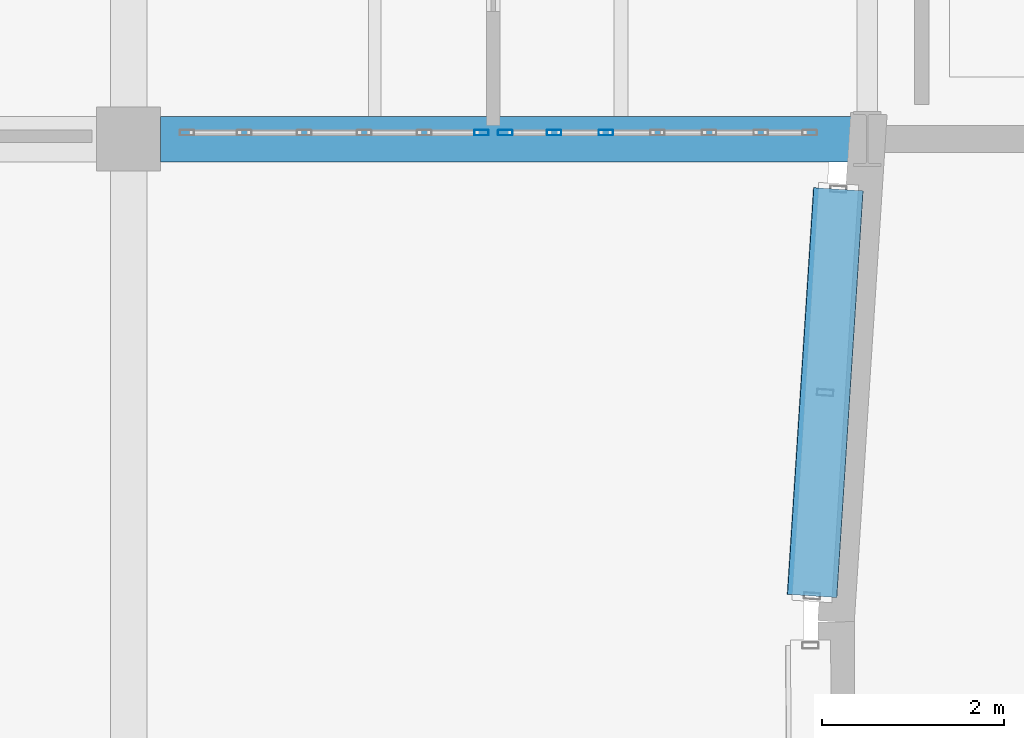
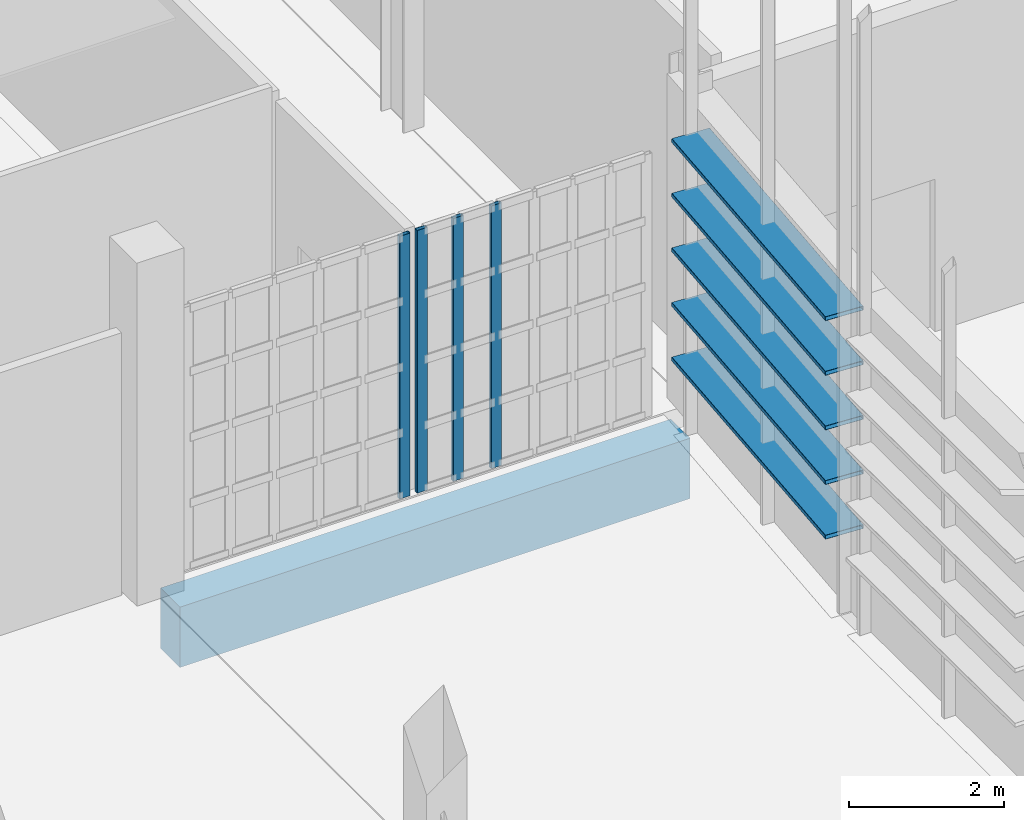
# One storey, part 97 of 372: 9 members, 1 beam, 2 elements without a shape of their own.
"""IFC4 building model written with IfcOpenShell, lengths in metres."""

from ifc_helpers import new_model, si_unit, direction, frame, origin, origin_2d, place, context, subcontext, project, spatial, rectangle, hollow_rectangle, extrude, material, material_profile, profile_set, type_object, element, aggregate, save


model = new_model("IFC4")

# Units and contexts
model_context = context("Model", 3, precision=1e-05, world=origin(), true_north=direction((0.0, 1.0)))
body_context = subcontext(model_context, "Body", "Model", "MODEL_VIEW")
ifc_project = project(units=[si_unit("LENGTHUNIT", "METRE"), si_unit("AREAUNIT", "SQUARE_METRE"), si_unit("VOLUMEUNIT", "CUBIC_METRE"), si_unit("PLANEANGLEUNIT", "RADIAN"), si_unit("MASSUNIT", "GRAM", prefix="KILO")], contexts=[model_context])

# Site, building, storey
site_placement = place(None, origin())
site = spatial("IfcSite", under=ifc_project, at=site_placement, CompositionType="ELEMENT")
building_placement = place(site_placement, origin())
building = spatial("IfcBuilding", under=site, at=building_placement, Name="Kaelora Sail Theatre", CompositionType="ELEMENT")
storey_placement = place(building_placement, origin())
storey = spatial("IfcBuildingStorey", under=building, at=storey_placement, Name="L00", CompositionType="ELEMENT", Elevation=0.0)

# Members
ifc_material_1 = material(Name="Anodised aluminium 6063-T6", Category="aluminium")
ifc_material_profile_1 = material_profile(ifc_material_1, hollow_rectangle(XDim=0.550048828125, YDim=0.06494140625, WallThickness=0.00390625, InnerFilletRadius=0.00390625, OuterFilletRadius=0.008056640625, at=origin_2d()), Name="LOUVRE 550x65x4")
ifc_profile_set_1 = profile_set([ifc_material_profile_1], Name="Anodised aluminium 6063-T6")
member_type_1 = type_object("IfcMemberType", Name="ARC-MEM-LVR-300", PredefinedType="USERDEFINED", material=ifc_profile_set_1)
for number, where, z_axis, x_axis, name in (
    (1, (25.195556640625, 56.0087890625, 1.25), (0.064492796424, 0.997918172602, 0.0), (-0.997918172602, 0.064492796424, 0.0), "Main Theatre Sail Drum horizontal solar louvre C22-01"),
    (2, (25.195556640625, 56.0087890625, 2.110107421875), (0.064492796424, 0.997918172602, 0.0), (-0.997918172602, 0.064492796424, 0.0), "Main Theatre Sail Drum horizontal solar louvre C22-02"),
    (3, (25.195556640625, 56.0087890625, 2.969970703125), (0.064492796424, 0.997918172602, 0.0), (-0.997918172602, 0.064492796424, 0.0), "Main Theatre Sail Drum horizontal solar louvre C22-03"),
    (4, (25.195556640625, 56.0087890625, 3.830078125), (0.064492796424, 0.997918172602, 0.0), (-0.997918172602, 0.064492796424, 0.0), "Main Theatre Sail Drum horizontal solar louvre C22-04"),
    (5, (25.195556640625, 56.0087890625, 4.68994140625), (0.064492796424, 0.997918172602, 0.0), (-0.997918172602, 0.064492796424, 0.0), "Main Theatre Sail Drum horizontal solar louvre C22-05"),
):
    element("IfcMember", number, at=place(storey_placement, frame(where, z_axis=z_axis, x_axis=x_axis)), inside=storey, type_object=member_type_1, Name=name, ObjectType="LOUVRE", PredefinedType="USERDEFINED", context=body_context, shape_type="SweptSolid", body=[
        extrude(hollow_rectangle(XDim=0.550048828125, YDim=0.06494140625, WallThickness=0.00390625, InnerFilletRadius=0.00390625, OuterFilletRadius=0.008056640625, at=origin_2d()), origin(), (0.0, 0.0, 1.0), 4.470703125),
    ])

# Curtain wall, member
ifc_material_2 = material(Name="Anodised aluminium and solar-control low-E IGU", Category="aluminium")
curtain_wall_type = type_object("IfcCurtainWallType", Name="ARC-CW-CW-FOY1", PredefinedType="NOTDEFINED", material=ifc_material_2)
curtain_wall_1_placement = place(storey_placement, origin())
curtain_wall_1 = element("IfcCurtainWall", 6, at=curtain_wall_1_placement, inside=storey, type_object=curtain_wall_type, Name="Glazed Foyer/Conservatory Curtain Wall FW1-S-L00-01", PredefinedType="NOTDEFINED")
ifc_material_3 = material(Name="Anodised aluminium 6063-T6", Category="aluminium")
ifc_material_profile_2 = material_profile(ifc_material_3, hollow_rectangle(XDim=0.06005859375, YDim=0.159912109375, WallThickness=0.00390625, InnerFilletRadius=0.00390625, OuterFilletRadius=0.008056640625, at=origin_2d()), Name="ALU-MULL 60x160x4")
ifc_profile_set_2 = profile_set([ifc_material_profile_2], Name="Anodised aluminium 6063-T6")
member_type_2 = type_object("IfcMemberType", Name="ARC-MEM-ML-160", PredefinedType="MULLION", material=ifc_profile_set_2)
member_1_placement = place(storey_placement, frame((21.570068359375, 61.090087890625, 0.0), z_axis=(0.0, 0.0, 1.0), x_axis=(0.0, 1.0, 0.0)))
member_1 = element("IfcMember", 7, at=member_1_placement, type_object=member_type_2, Name="CW-FOY1 mullion 6", PredefinedType="MULLION", context=body_context, shape_type="SweptSolid", body=[
    extrude(hollow_rectangle(XDim=0.06005859375, YDim=0.159912109375, WallThickness=0.00390625, InnerFilletRadius=0.00390625, OuterFilletRadius=0.008056640625, at=origin_2d()), origin(), (0.0, 0.0, 1.0), 4.136962890625),
])
aggregate(curtain_wall_1, [member_1])

# Curtain wall, members
curtain_wall_2_placement = place(storey_placement, origin())
curtain_wall_2 = element("IfcCurtainWall", 8, at=curtain_wall_2_placement, inside=storey, type_object=curtain_wall_type, Name="Glazed Foyer/Conservatory Curtain Wall FW1-S-L00-02", PredefinedType="NOTDEFINED")
member_2_placement = place(storey_placement, frame((21.830078125, 61.090087890625, 0.0), z_axis=(0.0, 0.0, 1.0), x_axis=(0.0, 1.0, 0.0)))
member_2 = element("IfcMember", 9, at=member_2_placement, type_object=member_type_2, Name="CW-FOY1 mullion 1", PredefinedType="MULLION", context=body_context, shape_type="SweptSolid", body=[
    extrude(hollow_rectangle(XDim=0.06005859375, YDim=0.159912109375, WallThickness=0.00390625, InnerFilletRadius=0.00390625, OuterFilletRadius=0.008056640625, at=origin_2d()), origin(), (0.0, 0.0, 1.0), 4.136962890625),
])
member_3_placement = place(storey_placement, frame((22.36669921875, 61.090087890625, 0.0), z_axis=(0.0, 0.0, 1.0), x_axis=(0.0, 1.0, 0.0)))
member_3 = element("IfcMember", 10, at=member_3_placement, type_object=member_type_2, Name="CW-FOY1 mullion 2", PredefinedType="MULLION", context=body_context, shape_type="SweptSolid", body=[
    extrude(hollow_rectangle(XDim=0.06005859375, YDim=0.159912109375, WallThickness=0.00390625, InnerFilletRadius=0.00390625, OuterFilletRadius=0.008056640625, at=origin_2d()), origin(), (0.0, 0.0, 1.0), 4.136962890625),
])
member_4_placement = place(storey_placement, frame((22.933349609375, 61.090087890625, 0.0), z_axis=(0.0, 0.0, 1.0), x_axis=(0.0, 1.0, 0.0)))
member_4 = element("IfcMember", 11, at=member_4_placement, type_object=member_type_2, Name="CW-FOY1 mullion 3", PredefinedType="MULLION", context=body_context, shape_type="SweptSolid", body=[
    extrude(hollow_rectangle(XDim=0.06005859375, YDim=0.159912109375, WallThickness=0.00390625, InnerFilletRadius=0.00390625, OuterFilletRadius=0.008056640625, at=origin_2d()), origin(), (0.0, 0.0, 1.0), 4.136962890625),
])
aggregate(curtain_wall_2, [member_2, member_3, member_4])

# Beam
ifc_material_4 = material(Name="Concrete C45/55", Category="concrete")
ifc_material_profile_3 = material_profile(ifc_material_4, rectangle(XDim=0.5, YDim=0.949951171875, at=origin_2d()), Name="RC-GRD 500x950")
ifc_profile_set_3 = profile_set([ifc_material_profile_3], Name="Concrete C45/55")
beam_type = type_object("IfcBeamType", Name="STR-BM-GR-RC5095", PredefinedType="T_BEAM", material=ifc_profile_set_3)
beam_placement = place(storey_placement, frame((18.050048828125, 61.02001953125, -0.794921875), z_axis=(1.0, 0.0, 0.0), x_axis=(0.0, 1.0, 0.0)))
element("IfcBeam", 12, at=beam_placement, inside=storey, type_object=beam_type, Name="Primary beam I 3-4 (L00)", PredefinedType="T_BEAM", context=body_context, shape_type="SweptSolid", body=[
    extrude(rectangle(XDim=0.5, YDim=0.949951171875, at=origin_2d()), origin(), (0.0, 0.0, 1.0), 7.599853515625),
])

save(model, "model.ifc")
